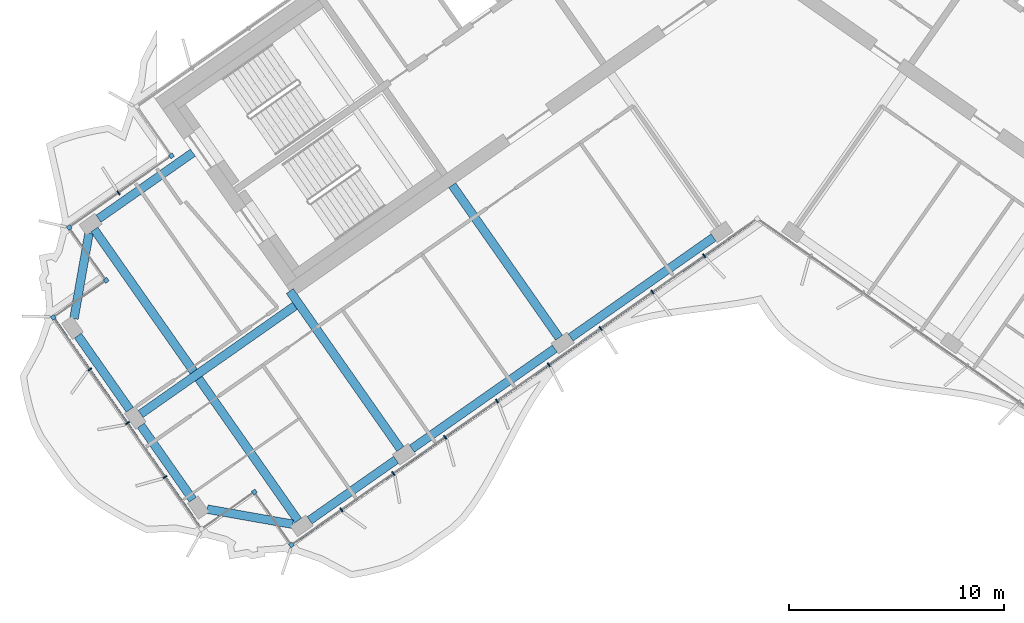
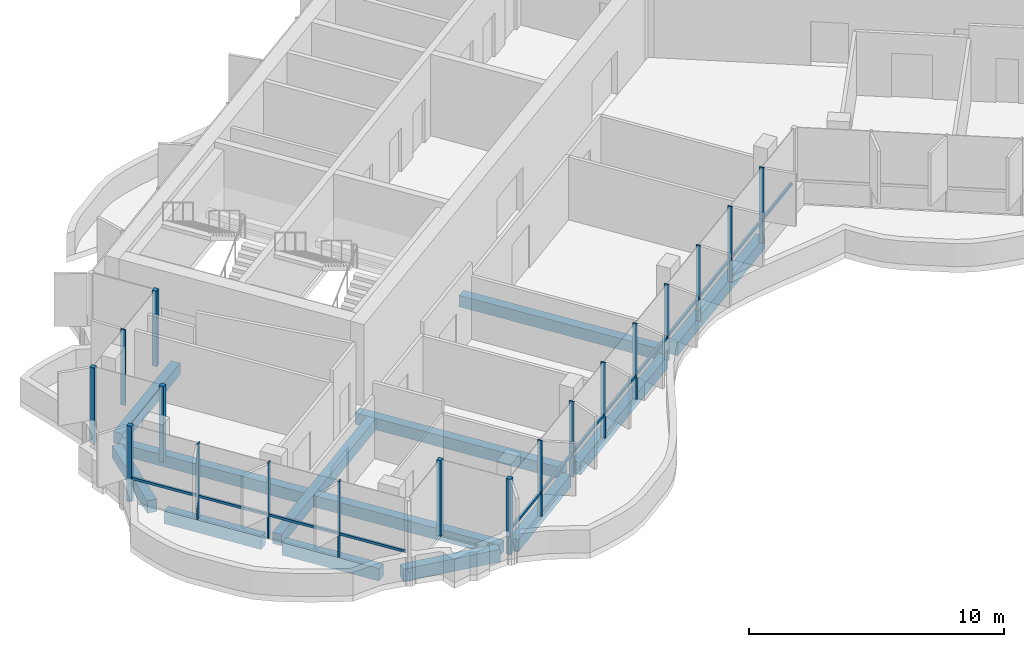
# One storey, part 2 of 17: 20 members, 12 beams, 2 elements without a shape of their own.
"""IFC4 building model written with IfcOpenShell, lengths in metres."""

from ifc_helpers import new_model, si_unit, direction, frame, origin, origin_2d, place, context, subcontext, project, spatial, rectangle, extrude, material, material_profile, profile_set, type_object, element, aggregate, save


model = new_model("IFC4")

# Units and contexts
model_context = context("Model", 3, precision=1e-05, world=origin(), true_north=direction((0.0, 1.0)))
body_context = subcontext(model_context, "Body", "Model", "MODEL_VIEW")
ifc_project = project(units=[si_unit("LENGTHUNIT", "METRE"), si_unit("AREAUNIT", "SQUARE_METRE"), si_unit("VOLUMEUNIT", "CUBIC_METRE"), si_unit("PLANEANGLEUNIT", "RADIAN"), si_unit("MASSUNIT", "GRAM", prefix="KILO")], contexts=[model_context])

# Site, building, storey
site_placement = place(None, origin())
site = spatial("IfcSite", under=ifc_project, at=site_placement, CompositionType="ELEMENT")
building_placement = place(site_placement, origin())
building = spatial("IfcBuilding", under=site, at=building_placement, Name="Tel Ilan Convention Tower", CompositionType="ELEMENT")
storey_placement = place(building_placement, frame((0.0, 0.0, 283.89990234375)))
storey = spatial("IfcBuildingStorey", under=building, at=storey_placement, Name="L67", CompositionType="ELEMENT", Elevation=283.89990234375)

# Beams
ifc_material_1 = material(Name="Concrete C40/50", Category="concrete")
ifc_material_profile_1 = material_profile(ifc_material_1, rectangle(XDim=0.39990234375, YDim=0.550048828125, at=origin_2d()), Name="RC 400x550")
ifc_profile_set_1 = profile_set([ifc_material_profile_1], Name="Concrete C40/50")
beam_type_1 = type_object("IfcBeamType", Name="Beam RC 400x550 Concrete C40/50", PredefinedType="BEAM", material=ifc_profile_set_1)
beam_1_placement = place(storey_placement, frame((-30.6005859375, -12.6982421875, -0.554931640625), z_axis=(0.819146154531, 0.573584847705, 0.0), x_axis=(-0.573584847705, 0.819146154531, 0.0)))
element("IfcBeam", 1, at=beam_1_placement, inside=storey, type_object=beam_type_1, Name="L67 beam W-W-BC-core", PredefinedType="BEAM", context=body_context, shape_type="SweptSolid", body=[
    extrude(rectangle(XDim=0.39990234375, YDim=0.550048828125, at=origin_2d()), origin(), (0.0, 0.0, 1.0), 5.349853515625),
])
beam_2_placement = place(storey_placement, frame((-9.209716796875, -18.229248046875, -0.554931640625), z_axis=(-0.573574099654, 0.819153680457, 0.0), x_axis=(-0.819153680457, -0.573574099654, 0.0)))
element("IfcBeam", 2, at=beam_2_placement, inside=storey, type_object=beam_type_1, Name="L67 beam W-W-F2-core", PredefinedType="BEAM", context=body_context, shape_type="SweptSolid", body=[
    extrude(rectangle(XDim=0.39990234375, YDim=0.550048828125, at=origin_2d()), origin(), (0.0, 0.0, 1.0), 8.64990234375),
])
beam_3_placement = place(storey_placement, frame((-16.58203125, -23.391357421875, -0.554931640625), z_axis=(-0.573584999642, 0.819146048141, 0.0), x_axis=(-0.819146048141, -0.573584999642, 0.0)))
element("IfcBeam", 3, at=beam_3_placement, inside=storey, type_object=beam_type_1, Name="L67 beam W-W-F3-core", PredefinedType="BEAM", context=body_context, shape_type="SweptSolid", body=[
    extrude(rectangle(XDim=0.39990234375, YDim=0.550048828125, at=origin_2d()), origin(), (0.0, 0.0, 1.0), 8.949951171875),
])
beam_4_placement = place(storey_placement, frame((-21.477783203125, -16.748046875, -0.554931640625), z_axis=(-0.819157197737, -0.573569076395, 0.0), x_axis=(0.573569076395, -0.819157197737, 0.0)))
element("IfcBeam", 4, at=beam_4_placement, inside=storey, type_object=beam_type_1, Name="L67 beam W-core-end", PredefinedType="BEAM", context=body_context, shape_type="SweptSolid", body=[
    extrude(rectangle(XDim=0.39990234375, YDim=0.550048828125, at=origin_2d()), origin(), (0.0, 0.0, 1.0), 8.75),
])
beam_5_placement = place(storey_placement, frame((-21.333251953125, -26.718017578125, -0.554931640625), z_axis=(-0.573574554643, 0.819153361872, 0.0), x_axis=(-0.819153361872, -0.573574554643, 0.0)))
element("IfcBeam", 5, at=beam_5_placement, inside=storey, type_object=beam_type_1, Name="L67 beam W-W-FC-W-BC", PredefinedType="BEAM", context=body_context, shape_type="SweptSolid", body=[
    extrude(rectangle(XDim=0.39990234375, YDim=0.550048828125, at=origin_2d()), origin(), (0.0, 0.0, 1.0), 16.499755859375),
])
ifc_material_2 = material(Name="Concrete C40/50", Category="concrete")
ifc_material_profile_2 = material_profile(ifc_material_2, rectangle(XDim=0.39990234375, YDim=0.60009765625, at=origin_2d()), Name="RC 400x600")
ifc_profile_set_2 = profile_set([ifc_material_profile_2], Name="Concrete C40/50")
beam_type_2 = type_object("IfcBeamType", Name="Beam RC 400x600 Concrete C40/50", PredefinedType="BEAM", material=ifc_profile_set_2)
beam_6_placement = place(storey_placement, frame((-2.033935546875, -13.57080078125, -0.579833984375), z_axis=(-0.81914553362, -0.573585734437, 0.0), x_axis=(0.573585734437, -0.81914553362, 0.0)))
element("IfcBeam", 6, at=beam_6_placement, inside=storey, type_object=beam_type_2, Name="L67 beam W-W-F1-W-F2", PredefinedType="BEAM", context=body_context, shape_type="SweptSolid", body=[
    extrude(rectangle(XDim=0.39990234375, YDim=0.60009765625, at=origin_2d()), origin(), (0.0, 0.0, 1.0), 8.099853515625),
])
beam_7_placement = place(storey_placement, frame((-9.40625, -18.73291015625, -0.579833984375), z_axis=(-0.819155449703, -0.573571572885, 0.0), x_axis=(0.573571572885, -0.819155449703, 0.0)))
element("IfcBeam", 7, at=beam_7_placement, inside=storey, type_object=beam_type_2, Name="L67 beam W-W-F2-W-F3", PredefinedType="BEAM", context=body_context, shape_type="SweptSolid", body=[
    extrude(rectangle(XDim=0.39990234375, YDim=0.60009765625, at=origin_2d()), origin(), (0.0, 0.0, 1.0), 8.10009765625),
])
beam_8_placement = place(storey_placement, frame((-16.778564453125, -23.895263671875, -0.579833984375), z_axis=(-0.819154669329, -0.573572687386, 0.0), x_axis=(0.573572687386, -0.819154669329, 0.0)))
element("IfcBeam", 8, at=beam_8_placement, inside=storey, type_object=beam_type_2, Name="L67 beam W-W-F3-W-FC", PredefinedType="BEAM", context=body_context, shape_type="SweptSolid", body=[
    extrude(rectangle(XDim=0.39990234375, YDim=0.60009765625, at=origin_2d()), origin(), (0.0, 0.0, 1.0), 4.900146484375),
])
beam_9_placement = place(storey_placement, frame((-21.578857421875, -26.89013671875, -0.579833984375), z_axis=(-0.984804894423, 0.173664388751, 0.0), x_axis=(-0.173664388751, -0.984804894423, 0.0)))
element("IfcBeam", 9, at=beam_9_placement, inside=storey, type_object=beam_type_2, Name="L67 beam W-W-FC-W-E1", PredefinedType="BEAM", context=body_context, shape_type="SweptSolid", body=[
    extrude(rectangle(XDim=0.39990234375, YDim=0.60009765625, at=origin_2d()), origin(), (0.0, 0.0, 1.0), 4.030517578125),
])
for number, where, z_axis, x_axis, name in (
    (10, (-26.22412109375, -25.748046875, -0.579833984375), (-0.573563773994, 0.819160910421, 0.0), (-0.819160910421, -0.573563773994, 0.0), "L67 beam W-W-E1-W-E2"),
    (11, (-29.1494140625, -21.5703125, -0.579833984375), (-0.573563773994, 0.819160910421, 0.0), (-0.819160910421, -0.573563773994, 0.0), "L67 beam W-W-E2-W-E3"),
):
    element("IfcBeam", number, at=place(storey_placement, frame(where, z_axis=z_axis, x_axis=x_axis)), inside=storey, type_object=beam_type_2, Name=name, PredefinedType="BEAM", context=body_context, shape_type="SweptSolid", body=[
        extrude(rectangle(XDim=0.39990234375, YDim=0.60009765625, at=origin_2d()), origin(), (0.0, 0.0, 1.0), 4.199951171875),
    ])
beam_10_placement = place(storey_placement, frame((-31.742919921875, -17.343505859375, -0.579833984375), z_axis=(0.173664388751, 0.984804894423, 0.0), x_axis=(-0.984804894423, 0.173664388751, 0.0)))
element("IfcBeam", 12, at=beam_10_placement, inside=storey, type_object=beam_type_2, Name="L67 beam W-W-E3-W-BC", PredefinedType="BEAM", context=body_context, shape_type="SweptSolid", body=[
    extrude(rectangle(XDim=0.39990234375, YDim=0.60009765625, at=origin_2d()), origin(), (0.0, 0.0, 1.0), 4.030517578125),
])

# Curtain wall, member
ifc_material_3 = material(Name="Aluminium, bronze anodised", Category="aluminium")
curtain_wall_type_1 = type_object("IfcCurtainWallType", Name="CW2 STICK CURTAIN WALL, SPANDREL PANELS", PredefinedType="NOTDEFINED", material=ifc_material_3)
curtain_wall_1_placement = place(storey_placement, origin())
curtain_wall_1 = element("IfcCurtainWall", 13, at=curtain_wall_1_placement, inside=storey, type_object=curtain_wall_type_1, Name="Curtain wall CW2-50.01", PredefinedType="NOTDEFINED")
ifc_material_4 = material(Name="Aluminium, bronze anodised", Category="aluminium")
ifc_material_profile_3 = material_profile(ifc_material_4, rectangle(XDim=0.199951171875, YDim=0.199951171875, at=origin_2d()), Name="CW CORNER MULLION 200x200")
ifc_profile_set_3 = profile_set([ifc_material_profile_3], Name="Aluminium, bronze anodised")
member_type_1 = type_object("IfcMemberType", Name="CW CORNER MULLION 200x200", PredefinedType="MULLION", material=ifc_profile_set_3)
member_1_placement = place(storey_placement, frame((-27.213623046875, -9.77734375, 0.0), z_axis=(0.0, 0.0, 1.0), x_axis=(0.573576436351, -0.819152044289, 0.0)))
member_1 = element("IfcMember", 14, at=member_1_placement, type_object=member_type_1, Name="Corner mullion", PredefinedType="MULLION", context=body_context, shape_type="SweptSolid", body=[
    extrude(rectangle(XDim=0.199951171875, YDim=0.199951171875, at=origin_2d()), origin(), (0.0, 0.0, 1.0), 3.6201171875),
])
aggregate(curtain_wall_1, [member_1])

# Curtain wall, members
ifc_material_5 = material(Name="Aluminium, bronze anodised", Category="aluminium")
curtain_wall_type_2 = type_object("IfcCurtainWallType", Name="CW5 STICK CURTAIN WALL, UPPER OFFICE LOW-IRON TINTED GLASS", PredefinedType="NOTDEFINED", material=ifc_material_5)
curtain_wall_2_placement = place(storey_placement, origin())
curtain_wall_2 = element("IfcCurtainWall", 15, at=curtain_wall_2_placement, inside=storey, type_object=curtain_wall_type_2, Name="Curtain wall CW5-50.02", PredefinedType="NOTDEFINED")
member_2_placement = place(storey_placement, frame((-31.964599609375, -13.10400390625, 0.0), z_axis=(0.0, 0.0, 1.0), x_axis=(-0.819152044289, -0.573576436351, 0.0)))
member_2 = element("IfcMember", 16, at=member_2_placement, type_object=member_type_1, Name="Corner mullion", PredefinedType="MULLION", context=body_context, shape_type="SweptSolid", body=[
    extrude(rectangle(XDim=0.199951171875, YDim=0.199951171875, at=origin_2d()), origin(), (0.0, 0.0, 1.0), 3.6201171875),
])
member_3_placement = place(storey_placement, frame((-30.243896484375, -15.5615234375, 0.0), z_axis=(0.0, 0.0, 1.0), x_axis=(0.573576436351, -0.819152044289, 0.0)))
member_3 = element("IfcMember", 17, at=member_3_placement, type_object=member_type_1, Name="Corner mullion", PredefinedType="MULLION", context=body_context, shape_type="SweptSolid", body=[
    extrude(rectangle(XDim=0.199951171875, YDim=0.199951171875, at=origin_2d()), origin(), (0.0, 0.0, 1.0), 3.6201171875),
])
member_4_placement = place(storey_placement, frame((-32.701416015625, -17.2822265625, 0.0), z_axis=(0.0, 0.0, 1.0), x_axis=(-0.819152044289, -0.573576436351, 0.0)))
member_4 = element("IfcMember", 18, at=member_4_placement, type_object=member_type_1, Name="Corner mullion", PredefinedType="MULLION", context=body_context, shape_type="SweptSolid", body=[
    extrude(rectangle(XDim=0.199951171875, YDim=0.199951171875, at=origin_2d()), origin(), (0.0, 0.0, 1.0), 3.6201171875),
])
member_5_placement = place(storey_placement, frame((-23.36083984375, -25.391357421875, 0.0), z_axis=(0.0, 0.0, 1.0), x_axis=(0.819152044289, 0.573576436351, 0.0)))
member_5 = element("IfcMember", 19, at=member_5_placement, type_object=member_type_1, Name="Corner mullion", PredefinedType="MULLION", context=body_context, shape_type="SweptSolid", body=[
    extrude(rectangle(XDim=0.199951171875, YDim=0.199951171875, at=origin_2d()), origin(), (0.0, 0.0, 1.0), 3.6201171875),
])
member_6_placement = place(storey_placement, frame((-21.64013671875, -27.8486328125, 0.0), z_axis=(0.0, 0.0, 1.0), x_axis=(0.573576436351, -0.819152044289, 0.0)))
member_6 = element("IfcMember", 20, at=member_6_placement, type_object=member_type_1, Name="Corner mullion", PredefinedType="MULLION", context=body_context, shape_type="SweptSolid", body=[
    extrude(rectangle(XDim=0.199951171875, YDim=0.199951171875, at=origin_2d()), origin(), (0.0, 0.0, 1.0), 3.6201171875),
])
ifc_material_6 = material(Name="Aluminium, bronze anodised", Category="aluminium")
ifc_material_profile_4 = material_profile(ifc_material_6, rectangle(XDim=0.06005859375, YDim=0.199951171875, at=origin_2d()), Name="CW MULLION 60x200")
ifc_profile_set_4 = profile_set([ifc_material_profile_4], Name="Aluminium, bronze anodised")
member_type_2 = type_object("IfcMemberType", Name="CW MULLION 60x200", PredefinedType="MULLION", material=ifc_profile_set_4)
member_7_placement = place(storey_placement, frame((-29.6708984375, -11.498046875, 0.0), z_axis=(0.0, 0.0, 1.0), x_axis=(-0.819152044289, -0.573576436351, 0.0)))
member_7 = element("IfcMember", 21, at=member_7_placement, type_object=member_type_2, Name="Mullion", PredefinedType="MULLION", context=body_context, shape_type="SweptSolid", body=[
    extrude(rectangle(XDim=0.06005859375, YDim=0.199951171875, at=origin_2d()), origin(), (0.0, 0.0, 1.0), 3.6201171875),
])
member_8_placement = place(storey_placement, frame((-31.00927734375, -19.69873046875, 0.0), z_axis=(0.0, 0.0, 1.0), x_axis=(0.573576436351, -0.819152044289, 0.0)))
member_8 = element("IfcMember", 22, at=member_8_placement, type_object=member_type_2, Name="Mullion", PredefinedType="MULLION", context=body_context, shape_type="SweptSolid", body=[
    extrude(rectangle(XDim=0.06005859375, YDim=0.199951171875, at=origin_2d()), origin(), (0.0, 0.0, 1.0), 3.6201171875),
])
member_9_placement = place(storey_placement, frame((-29.259765625, -22.197021484375, 0.0), z_axis=(0.0, 0.0, 1.0), x_axis=(0.573576436351, -0.819152044289, 0.0)))
member_9 = element("IfcMember", 23, at=member_9_placement, type_object=member_type_2, Name="Mullion", PredefinedType="MULLION", context=body_context, shape_type="SweptSolid", body=[
    extrude(rectangle(XDim=0.06005859375, YDim=0.199951171875, at=origin_2d()), origin(), (0.0, 0.0, 1.0), 3.6201171875),
])
member_10_placement = place(storey_placement, frame((-27.510498046875, -24.695556640625, 0.0), z_axis=(0.0, 0.0, 1.0), x_axis=(0.573576436351, -0.819152044289, 0.0)))
member_10 = element("IfcMember", 24, at=member_10_placement, type_object=member_type_2, Name="Mullion", PredefinedType="MULLION", context=body_context, shape_type="SweptSolid", body=[
    extrude(rectangle(XDim=0.06005859375, YDim=0.199951171875, at=origin_2d()), origin(), (0.0, 0.0, 1.0), 3.6201171875),
])
member_11_placement = place(storey_placement, frame((-19.31494140625, -26.220458984375, 0.0), z_axis=(0.0, 0.0, 1.0), x_axis=(0.819152044289, 0.573576436351, 0.0)))
member_11 = element("IfcMember", 25, at=member_11_placement, type_object=member_type_2, Name="Mullion", PredefinedType="MULLION", context=body_context, shape_type="SweptSolid", body=[
    extrude(rectangle(XDim=0.06005859375, YDim=0.199951171875, at=origin_2d()), origin(), (0.0, 0.0, 1.0), 3.6201171875),
])
member_12_placement = place(storey_placement, frame((-16.90771484375, -24.534912109375, 0.0), z_axis=(0.0, 0.0, 1.0), x_axis=(0.819152044289, 0.573576436351, 0.0)))
member_12 = element("IfcMember", 26, at=member_12_placement, type_object=member_type_2, Name="Mullion", PredefinedType="MULLION", context=body_context, shape_type="SweptSolid", body=[
    extrude(rectangle(XDim=0.06005859375, YDim=0.199951171875, at=origin_2d()), origin(), (0.0, 0.0, 1.0), 3.6201171875),
])
member_13_placement = place(storey_placement, frame((-14.50048828125, -22.849365234375, 0.0), z_axis=(0.0, 0.0, 1.0), x_axis=(0.819152044289, 0.573576436351, 0.0)))
member_13 = element("IfcMember", 27, at=member_13_placement, type_object=member_type_2, Name="Mullion", PredefinedType="MULLION", context=body_context, shape_type="SweptSolid", body=[
    extrude(rectangle(XDim=0.06005859375, YDim=0.199951171875, at=origin_2d()), origin(), (0.0, 0.0, 1.0), 3.6201171875),
])
member_14_placement = place(storey_placement, frame((-12.09326171875, -21.163818359375, 0.0), z_axis=(0.0, 0.0, 1.0), x_axis=(0.819152044289, 0.573576436351, 0.0)))
member_14 = element("IfcMember", 28, at=member_14_placement, type_object=member_type_2, Name="Mullion", PredefinedType="MULLION", context=body_context, shape_type="SweptSolid", body=[
    extrude(rectangle(XDim=0.06005859375, YDim=0.199951171875, at=origin_2d()), origin(), (0.0, 0.0, 1.0), 3.6201171875),
])
member_15_placement = place(storey_placement, frame((-9.68603515625, -19.478271484375, 0.0), z_axis=(0.0, 0.0, 1.0), x_axis=(0.819152044289, 0.573576436351, 0.0)))
member_15 = element("IfcMember", 29, at=member_15_placement, type_object=member_type_2, Name="Mullion", PredefinedType="MULLION", context=body_context, shape_type="SweptSolid", body=[
    extrude(rectangle(XDim=0.06005859375, YDim=0.199951171875, at=origin_2d()), origin(), (0.0, 0.0, 1.0), 3.6201171875),
])
member_16_placement = place(storey_placement, frame((-7.279052734375, -17.792724609375, 0.0), z_axis=(0.0, 0.0, 1.0), x_axis=(0.819152044289, 0.573576436351, 0.0)))
member_16 = element("IfcMember", 30, at=member_16_placement, type_object=member_type_2, Name="Mullion", PredefinedType="MULLION", context=body_context, shape_type="SweptSolid", body=[
    extrude(rectangle(XDim=0.06005859375, YDim=0.199951171875, at=origin_2d()), origin(), (0.0, 0.0, 1.0), 3.6201171875),
])
member_17_placement = place(storey_placement, frame((-4.871826171875, -16.107177734375, 0.0), z_axis=(0.0, 0.0, 1.0), x_axis=(0.819152044289, 0.573576436351, 0.0)))
member_17 = element("IfcMember", 31, at=member_17_placement, type_object=member_type_2, Name="Mullion", PredefinedType="MULLION", context=body_context, shape_type="SweptSolid", body=[
    extrude(rectangle(XDim=0.06005859375, YDim=0.199951171875, at=origin_2d()), origin(), (0.0, 0.0, 1.0), 3.6201171875),
])
member_18_placement = place(storey_placement, frame((-2.464599609375, -14.421875, 0.0), z_axis=(0.0, 0.0, 1.0), x_axis=(0.819152044289, 0.573576436351, 0.0)))
member_18 = element("IfcMember", 32, at=member_18_placement, type_object=member_type_2, Name="Mullion", PredefinedType="MULLION", context=body_context, shape_type="SweptSolid", body=[
    extrude(rectangle(XDim=0.06005859375, YDim=0.199951171875, at=origin_2d()), origin(), (0.0, 0.0, 1.0), 3.6201171875),
])
ifc_material_7 = material(Name="Aluminium, bronze anodised", Category="aluminium")
ifc_material_profile_5 = material_profile(ifc_material_7, rectangle(XDim=0.10009765625, YDim=0.1201171875, at=origin_2d()), Name="CW TRANSOM 100x120")
ifc_profile_set_5 = profile_set([ifc_material_profile_5], Name="Aluminium, bronze anodised")
member_type_3 = type_object("IfcMemberType", Name="CW TRANSOM 100x120", PredefinedType="USERDEFINED", material=ifc_profile_set_5)
member_19_placement = place(storey_placement, frame((-32.64404296875, -17.364013671875, 1.10009765625), z_axis=(0.573581755582, -0.819148319698, 0.0), x_axis=(0.819148319698, 0.573581755582, 0.0)))
member_19 = element("IfcMember", 33, at=member_19_placement, type_object=member_type_3, Name="Transom", ObjectType="TRANSOM", PredefinedType="USERDEFINED", context=body_context, shape_type="SweptSolid", body=[
    extrude(rectangle(XDim=0.10009765625, YDim=0.1201171875, at=origin_2d()), origin(), (0.0, 0.0, 1.0), 11.800048828125),
])
member_20_placement = place(storey_placement, frame((-21.558349609375, -27.791259765625, 1.10009765625), z_axis=(0.819152212587, 0.573576195996, 0.0), x_axis=(-0.573576195996, 0.819152212587, 0.0)))
member_20 = element("IfcMember", 34, at=member_20_placement, type_object=member_type_3, Name="Transom", ObjectType="TRANSOM", PredefinedType="USERDEFINED", context=body_context, shape_type="SweptSolid", body=[
    extrude(rectangle(XDim=0.10009765625, YDim=0.1201171875, at=origin_2d()), origin(), (0.0, 0.0, 1.0), 26.0478515625),
])
aggregate(curtain_wall_2, [member_7, member_2, member_3, member_4, member_8, member_9, member_10, member_19, member_5, member_6, member_11, member_12, member_13, member_14, member_15, member_16, member_17, member_18, member_20])

save(model, "model.ifc")
